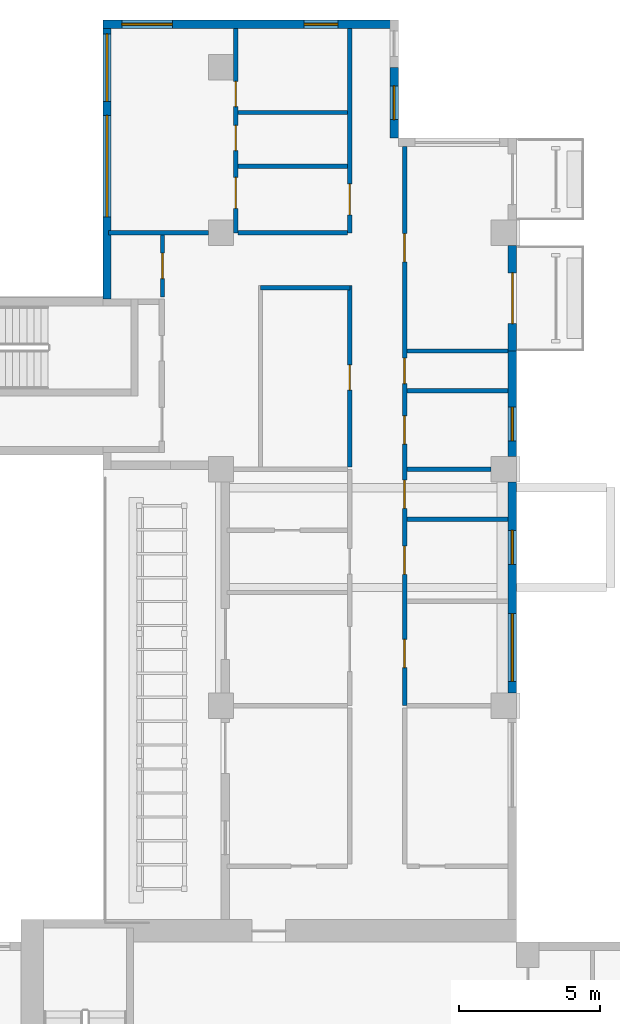
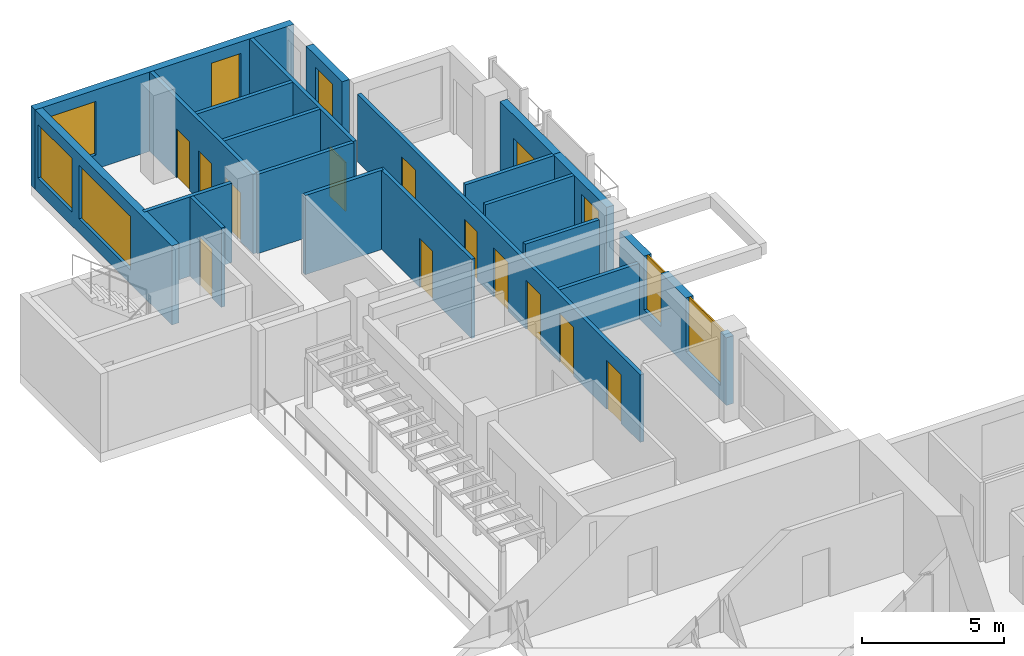
# One storey, part 9 of 14: 20 walls, 13 doors, 8 windows, 21 openings.
"""IFC4 building model written with IfcOpenShell, lengths in metres."""

from ifc_helpers import new_model, si_unit, direction, frame, frame_2d, origin, place, context, subcontext, project, spatial, rectangle, extrude, source, transform, mapped, material, layer, layer_set, type_object, element, fill, save


model = new_model("IFC4")

# Units and contexts
model_context = context("Model", 3, precision=1e-05, world=origin(), true_north=direction((0.0, 1.0)))
body_context = subcontext(model_context, "Body", "Model", "MODEL_VIEW")
ifc_project = project(units=[si_unit("LENGTHUNIT", "METRE"), si_unit("AREAUNIT", "SQUARE_METRE"), si_unit("VOLUMEUNIT", "CUBIC_METRE"), si_unit("PLANEANGLEUNIT", "RADIAN"), si_unit("MASSUNIT", "GRAM", prefix="KILO")], contexts=[model_context])

# Site, building, storey
site_placement = place(None, origin())
site = spatial("IfcSite", under=ifc_project, at=site_placement, CompositionType="ELEMENT")
building_placement = place(site_placement, origin())
building = spatial("IfcBuilding", under=site, at=building_placement, Name="Aurelian Terraces", CompositionType="ELEMENT")
storey_placement = place(building_placement, frame((0.0, 0.0, 185.4)))
storey = spatial("IfcBuildingStorey", under=building, at=storey_placement, Name="L40", CompositionType="ELEMENT", Elevation=185.4)

# Wall, openings, doors
ifc_material_1 = material(Name="Gypsum board on steel studs", Category="steel")
ifc_layer_1 = layer(ifc_material_1, 0.15)
ifc_layer_set_1 = layer_set([ifc_layer_1], Name="Fire partition 150")
wall_type_1 = type_object("IfcWallType", Name="Fire partition 150", PredefinedType="PARTITIONING", material=ifc_layer_set_1)
wall_1_placement = place(storey_placement, frame((17.025, 49.26, 0.0), z_axis=(0.0, 0.0, 1.0), x_axis=(0.0, -1.0, 0.0)))
wall_1 = element("IfcWall", 1, at=wall_1_placement, inside=storey, type_object=wall_type_1, Name="Corridor wall", PredefinedType="PARTITIONING", context=body_context, shape_type="SweptSolid", body=[
    extrude(rectangle(XDim=19.86, YDim=0.15, at=frame_2d((9.93, 0.0))), origin(), (0.0, 0.0, 1.0), 2.9),
])
shared_shape_1 = source(origin(), body_context, "Body", "SweptSolid", [
    extrude(rectangle(XDim=1.0, YDim=2.1, at=frame_2d((0.5, 1.05))), frame((0.0, 0.085, 0.0), z_axis=(0.0, -1.0, 0.0), x_axis=(1.0, 0.0, 0.0)), (0.0, 0.0, 1.0), 0.17),
])
opening_1_placement = place(wall_1_placement, frame((17.5033, 0.0, 0.0)))
opening_1 = element("IfcOpeningElement", 2, at=opening_1_placement, cuts=wall_1, Name="Opening 740030", PredefinedType="OPENING", context=body_context, shape_type="MappedRepresentation", body=[
    mapped(shared_shape_1, transform((0.0, 0.0, 0.0), scale=1.0)),
])
opening_2_placement = place(wall_1_placement, frame((14.1914, 0.0, 0.0)))
opening_2 = element("IfcOpeningElement", 3, at=opening_2_placement, cuts=wall_1, Name="Opening 740031", PredefinedType="OPENING", context=body_context, shape_type="MappedRepresentation", body=[
    mapped(shared_shape_1, transform((0.0, 0.0, 0.0), scale=1.0)),
])
opening_3_placement = place(wall_1_placement, frame((11.848, 0.0, 0.0)))
opening_3 = element("IfcOpeningElement", 4, at=opening_3_placement, cuts=wall_1, Name="Opening 740032", PredefinedType="OPENING", context=body_context, shape_type="MappedRepresentation", body=[
    mapped(shared_shape_1, transform((0.0, 0.0, 0.0), scale=1.0)),
])
opening_4_placement = place(wall_1_placement, frame((9.5658, 0.0, 0.0)))
opening_4 = element("IfcOpeningElement", 5, at=opening_4_placement, cuts=wall_1, Name="Opening 740033", PredefinedType="OPENING", context=body_context, shape_type="MappedRepresentation", body=[
    mapped(shared_shape_1, transform((0.0, 0.0, 0.0), scale=1.0)),
])
shared_shape_2 = source(origin(), body_context, "Body", "SweptSolid", [
    extrude(rectangle(XDim=0.9, YDim=2.1, at=frame_2d((0.45, 1.05))), frame((0.0, 0.085, 0.0), z_axis=(0.0, -1.0, 0.0), x_axis=(1.0, 0.0, 0.0)), (0.0, 0.0, 1.0), 0.17),
])
opening_5_placement = place(wall_1_placement, frame((7.5158, 0.0, 0.0)))
opening_5 = element("IfcOpeningElement", 6, at=opening_5_placement, cuts=wall_1, Name="Opening 740034", PredefinedType="OPENING", context=body_context, shape_type="MappedRepresentation", body=[
    mapped(shared_shape_2, transform((0.0, 0.0, 0.0), scale=1.0)),
])
opening_6_placement = place(wall_1_placement, frame((3.0925, 0.0, 0.0)))
opening_6 = element("IfcOpeningElement", 7, at=opening_6_placement, cuts=wall_1, Name="Opening 740035", PredefinedType="OPENING", context=body_context, shape_type="MappedRepresentation", body=[
    mapped(shared_shape_1, transform((0.0, 0.0, 0.0), scale=1.0)),
])
ifc_material_2 = material(Name="Steel door leaf", Category="steel")
door_type_1 = type_object("IfcDoorType", Name="Entrance fire door 1000x2100 right", OperationType="SINGLE_SWING_RIGHT", PredefinedType="DOOR", material=ifc_material_2)
shared_shape_3 = source(origin(), body_context, "Body", "SweptSolid", [
    extrude(rectangle(XDim=1.0, YDim=2.1, at=frame_2d((0.5, 1.05))), frame((0.0, 0.025, 0.0), z_axis=(0.0, -1.0, 0.0), x_axis=(1.0, 0.0, 0.0)), (0.0, 0.0, 1.0), 0.05),
])
door_1_placement = place(opening_1_placement, origin())
door_1 = element("IfcDoor", 8, at=door_1_placement, inside=storey, type_object=door_type_1, Name="Door 740030", OperationType="SINGLE_SWING_RIGHT", OverallHeight=2.1, OverallWidth=1.0, PredefinedType="DOOR", context=body_context, shape_type="MappedRepresentation", body=[
    mapped(shared_shape_3, transform((0.0, 0.0, 0.0), scale=1.0)),
])
fill(opening_1, door_1)
door_type_2 = type_object("IfcDoorType", Name="Entrance fire door 1000x2100 left", OperationType="SINGLE_SWING_LEFT", PredefinedType="DOOR", material=ifc_material_2)
door_2_placement = place(opening_2_placement, origin())
door_2 = element("IfcDoor", 9, at=door_2_placement, inside=storey, type_object=door_type_2, Name="Door 740031", OperationType="SINGLE_SWING_LEFT", OverallHeight=2.1, OverallWidth=1.0, PredefinedType="DOOR", context=body_context, shape_type="MappedRepresentation", body=[
    mapped(shared_shape_3, transform((0.0, 0.0, 0.0), scale=1.0)),
])
fill(opening_2, door_2)
door_3_placement = place(opening_3_placement, origin())
door_3 = element("IfcDoor", 10, at=door_3_placement, inside=storey, type_object=door_type_1, Name="Door 740032", OperationType="SINGLE_SWING_RIGHT", OverallHeight=2.1, OverallWidth=1.0, PredefinedType="DOOR", context=body_context, shape_type="MappedRepresentation", body=[
    mapped(shared_shape_3, transform((0.0, 0.0, 0.0), scale=1.0)),
])
fill(opening_3, door_3)
door_4_placement = place(opening_4_placement, origin())
door_4 = element("IfcDoor", 11, at=door_4_placement, inside=storey, type_object=door_type_1, Name="Door 740033", OperationType="SINGLE_SWING_RIGHT", OverallHeight=2.1, OverallWidth=1.0, PredefinedType="DOOR", context=body_context, shape_type="MappedRepresentation", body=[
    mapped(shared_shape_3, transform((0.0, 0.0, 0.0), scale=1.0)),
])
fill(opening_4, door_4)
door_5_placement = place(opening_6_placement, origin())
door_5 = element("IfcDoor", 12, at=door_5_placement, inside=storey, type_object=door_type_1, Name="Door 740035", OperationType="SINGLE_SWING_RIGHT", OverallHeight=2.1, OverallWidth=1.0, PredefinedType="DOOR", context=body_context, shape_type="MappedRepresentation", body=[
    mapped(shared_shape_3, transform((0.0, 0.0, 0.0), scale=1.0)),
])
fill(opening_6, door_5)
door_type_3 = type_object("IfcDoorType", Name="Entrance fire door 900x2100 left", OperationType="SINGLE_SWING_LEFT", PredefinedType="DOOR", material=ifc_material_2)
shared_shape_4 = source(origin(), body_context, "Body", "SweptSolid", [
    extrude(rectangle(XDim=0.9, YDim=2.1, at=frame_2d((0.45, 1.05))), frame((0.0, 0.025, 0.0), z_axis=(0.0, -1.0, 0.0), x_axis=(1.0, 0.0, 0.0)), (0.0, 0.0, 1.0), 0.05),
])
door_6_placement = place(opening_5_placement, origin())
door_6 = element("IfcDoor", 13, at=door_6_placement, inside=storey, type_object=door_type_3, Name="Door 740034", OperationType="SINGLE_SWING_LEFT", OverallHeight=2.1, OverallWidth=0.9, PredefinedType="DOOR", context=body_context, shape_type="MappedRepresentation", body=[
    mapped(shared_shape_4, transform((0.0, 0.0, 0.0), scale=1.0)),
])
fill(opening_5, door_6)

# Wall
ifc_layer_2 = layer(ifc_material_1, 0.15)
ifc_layer_set_2 = layer_set([ifc_layer_2], Name="Partition 150")
wall_type_2 = type_object("IfcWallType", Name="Partition 150", PredefinedType="PARTITIONING", material=ifc_layer_set_2)
wall_2_placement = place(storey_placement, frame((15.075, 44.25, 0.0), z_axis=(0.0, 0.0, 1.0), x_axis=(-1.0, 0.0, 0.0)))
element("IfcWall", 14, at=wall_2_placement, inside=storey, type_object=wall_type_2, Name="Partition", PredefinedType="PARTITIONING", context=body_context, shape_type="SweptSolid", body=[
    extrude(rectangle(XDim=3.175, YDim=0.15, at=frame_2d((1.5875, 0.0))), origin(), (0.0, 0.0, 1.0), 3.4),
])

# Wall, opening, window
ifc_material_3 = material(Name="Terracotta rainscreen cladding", Category="masonry")
ifc_layer_3 = layer(ifc_material_3, 0.3)
ifc_layer_set_3 = layer_set([ifc_layer_3], Name="EW-300")
wall_type_3 = type_object("IfcWallType", Name="EW-300", PredefinedType="STANDARD", material=ifc_layer_set_3)
shared_shape_5 = source(origin(), body_context, "Body", "SweptSolid", [
    extrude(rectangle(XDim=3.75, YDim=0.3, at=frame_2d((1.875, 0.0))), origin(), (0.0, 0.0, 1.0), 3.4),
])
wall_3_placement = place(storey_placement, frame((20.85, 38.25, 0.0), z_axis=(0.0, 0.0, 1.0), x_axis=(0.0, 1.0, 0.0)))
wall_3 = element("IfcWall", 15, at=wall_3_placement, inside=storey, type_object=wall_type_3, Name="External wall L40 F08.21", PredefinedType="STANDARD", context=body_context, shape_type="MappedRepresentation", body=[
    mapped(shared_shape_5, transform((0.0, 0.0, 0.0), scale=1.0)),
])
shared_shape_6 = source(origin(), body_context, "Body", "SweptSolid", [
    extrude(rectangle(XDim=1.2, YDim=2.3, at=frame_2d((0.6, 1.15))), frame((0.0, 0.16, 0.0), z_axis=(0.0, -1.0, 0.0), x_axis=(1.0, 0.0, 0.0)), (0.0, 0.0, 1.0), 0.32),
])
opening_7_placement = place(wall_3_placement, frame((0.557, 0.0, 0.6)))
opening_7 = element("IfcOpeningElement", 16, at=opening_7_placement, cuts=wall_3, Name="Opening W1223", PredefinedType="OPENING", context=body_context, shape_type="MappedRepresentation", body=[
    mapped(shared_shape_6, transform((0.0, 0.0, 0.0), scale=1.0)),
])
ifc_material_4 = material(Name="Clear glazing", Category="glass")
window_type_1 = type_object("IfcWindowType", Name="W-1200x2300", PartitioningType="SINGLE_PANEL", PredefinedType="WINDOW", material=ifc_material_4)
shared_shape_7 = source(origin(), body_context, "Body", "SweptSolid", [
    extrude(rectangle(XDim=1.2, YDim=2.3, at=frame_2d((0.6, 1.15))), frame((0.0, 0.03, 0.0), z_axis=(0.0, -1.0, 0.0), x_axis=(1.0, 0.0, 0.0)), (0.0, 0.0, 1.0), 0.06),
])
window_1_placement = place(opening_7_placement, origin())
window_1 = element("IfcWindow", 17, at=window_1_placement, inside=storey, type_object=window_type_1, Name="Window L40 L40-F08-21-0", OverallHeight=2.3, OverallWidth=1.2, PartitioningType="SINGLE_PANEL", PredefinedType="WINDOW", context=body_context, shape_type="MappedRepresentation", body=[
    mapped(shared_shape_7, transform((0.0, 0.0, 0.0), scale=1.0)),
])
fill(opening_7, window_1)

# Wall, opening, door
wall_4_placement = place(storey_placement, frame((20.85, 42.0, 0.0), z_axis=(0.0, 0.0, 1.0), x_axis=(0.0, 1.0, 0.0)))
wall_4 = element("IfcWall", 18, at=wall_4_placement, inside=storey, type_object=wall_type_3, Name="External wall L40 F08.22", PredefinedType="STANDARD", context=body_context, shape_type="MappedRepresentation", body=[
    mapped(shared_shape_5, transform((0.0, 0.0, 0.0), scale=1.0)),
])
shared_shape_8 = source(origin(), body_context, "Body", "SweptSolid", [
    extrude(rectangle(XDim=1.8, YDim=2.4, at=frame_2d((0.9, 1.2))), frame((0.0, 0.16, 0.0), z_axis=(0.0, -1.0, 0.0), x_axis=(1.0, 0.0, 0.0)), (0.0, 0.0, 1.0), 0.32),
])
opening_8_placement = place(wall_4_placement, frame((0.975, 0.0, 0.0)))
opening_8 = element("IfcOpeningElement", 19, at=opening_8_placement, cuts=wall_4, Name="Opening 84002", PredefinedType="OPENING", context=body_context, shape_type="MappedRepresentation", body=[
    mapped(shared_shape_8, transform((0.0, 0.0, 0.0), scale=1.0)),
])
door_type_4 = type_object("IfcDoorType", Name="BD-1800x2400", OperationType="SLIDING_TO_LEFT", PredefinedType="DOOR", material=ifc_material_4)
shared_shape_9 = source(origin(), body_context, "Body", "SweptSolid", [
    extrude(rectangle(XDim=1.8, YDim=2.4, at=frame_2d((0.9, 1.2))), frame((0.0, 0.025, 0.0), z_axis=(0.0, -1.0, 0.0), x_axis=(1.0, 0.0, 0.0)), (0.0, 0.0, 1.0), 0.05),
])
door_7_placement = place(opening_8_placement, origin())
door_7 = element("IfcDoor", 20, at=door_7_placement, inside=storey, type_object=door_type_4, Name="Balcony door L40 F08.22", OperationType="SLIDING_TO_LEFT", OverallHeight=2.4, OverallWidth=1.8, PredefinedType="DOOR", context=body_context, shape_type="MappedRepresentation", body=[
    mapped(shared_shape_9, transform((0.0, 0.0, 0.0), scale=1.0)),
])
fill(opening_8, door_7)

# Wall, opening, window
shared_shape_10 = source(origin(), body_context, "Body", "SweptSolid", [
    extrude(rectangle(XDim=2.52, YDim=0.3, at=frame_2d((1.26, 0.0))), origin(), (0.0, 0.0, 1.0), 3.4),
])
wall_5_placement = place(storey_placement, frame((16.65, 49.56, 0.0), z_axis=(0.0, 0.0, 1.0), x_axis=(0.0, 1.0, 0.0)))
wall_5 = element("IfcWall", 21, at=wall_5_placement, inside=storey, type_object=wall_type_3, Name="External wall L40 F10.25", PredefinedType="STANDARD", context=body_context, shape_type="MappedRepresentation", body=[
    mapped(shared_shape_10, transform((0.0, 0.0, 0.0), scale=1.0)),
])
opening_9_placement = place(wall_5_placement, frame((0.66, 0.0, 0.6)))
opening_9 = element("IfcOpeningElement", 22, at=opening_9_placement, cuts=wall_5, Name="Opening W1223", PredefinedType="OPENING", context=body_context, shape_type="MappedRepresentation", body=[
    mapped(shared_shape_6, transform((0.0, 0.0, 0.0), scale=1.0)),
])
window_2_placement = place(opening_9_placement, origin())
window_2 = element("IfcWindow", 23, at=window_2_placement, inside=storey, type_object=window_type_1, Name="Window L40 L40-F10-25-0", OverallHeight=2.3, OverallWidth=1.2, PartitioningType="SINGLE_PANEL", PredefinedType="WINDOW", context=body_context, shape_type="MappedRepresentation", body=[
    mapped(shared_shape_7, transform((0.0, 0.0, 0.0), scale=1.0)),
])
fill(opening_9, window_2)

# Wall, openings, windows
shared_shape_11 = source(origin(), body_context, "Body", "SweptSolid", [
    extrude(rectangle(XDim=10.5, YDim=0.3, at=frame_2d((5.25, 0.0))), origin(), (0.0, 0.0, 1.0), 3.4),
])
wall_6_placement = place(storey_placement, frame((16.8, 53.61, 0.0), z_axis=(0.0, 0.0, 1.0), x_axis=(-1.0, 0.0, 0.0)))
wall_6 = element("IfcWall", 24, at=wall_6_placement, inside=storey, type_object=wall_type_3, Name="External wall L40 F11.27", PredefinedType="STANDARD", context=body_context, shape_type="MappedRepresentation", body=[
    mapped(shared_shape_11, transform((0.0, 0.0, 0.0), scale=1.0)),
])
opening_10_placement = place(wall_6_placement, frame((2.15, 0.0, 0.6)))
opening_10 = element("IfcOpeningElement", 25, at=opening_10_placement, cuts=wall_6, Name="Opening W1223", PredefinedType="OPENING", context=body_context, shape_type="MappedRepresentation", body=[
    mapped(shared_shape_6, transform((0.0, 0.0, 0.0), scale=1.0)),
])
shared_shape_12 = source(origin(), body_context, "Body", "SweptSolid", [
    extrude(rectangle(XDim=1.8, YDim=2.3, at=frame_2d((0.9, 1.15))), frame((0.0, 0.16, 0.0), z_axis=(0.0, -1.0, 0.0), x_axis=(1.0, 0.0, 0.0)), (0.0, 0.0, 1.0), 0.32),
])
opening_11_placement = place(wall_6_placement, frame((8.025, 0.0, 0.6)))
opening_11 = element("IfcOpeningElement", 26, at=opening_11_placement, cuts=wall_6, Name="Opening W1823", PredefinedType="OPENING", context=body_context, shape_type="MappedRepresentation", body=[
    mapped(shared_shape_12, transform((0.0, 0.0, 0.0), scale=1.0)),
])
window_3_placement = place(opening_10_placement, origin())
window_3 = element("IfcWindow", 27, at=window_3_placement, inside=storey, type_object=window_type_1, Name="Window L40 L40-F11-27-0", OverallHeight=2.3, OverallWidth=1.2, PartitioningType="SINGLE_PANEL", PredefinedType="WINDOW", context=body_context, shape_type="MappedRepresentation", body=[
    mapped(shared_shape_7, transform((0.0, 0.0, 0.0), scale=1.0)),
])
fill(opening_10, window_3)
window_type_2 = type_object("IfcWindowType", Name="W-1800x2300", PartitioningType="SINGLE_PANEL", PredefinedType="WINDOW", material=ifc_material_4)
shared_shape_13 = source(origin(), body_context, "Body", "SweptSolid", [
    extrude(rectangle(XDim=1.8, YDim=2.3, at=frame_2d((0.9, 1.15))), frame((0.0, 0.03, 0.0), z_axis=(0.0, -1.0, 0.0), x_axis=(1.0, 0.0, 0.0)), (0.0, 0.0, 1.0), 0.06),
])
window_4_placement = place(opening_11_placement, origin())
window_4 = element("IfcWindow", 28, at=window_4_placement, inside=storey, type_object=window_type_2, Name="Window L40 L40-F11-27-2", OverallHeight=2.3, OverallWidth=1.8, PartitioningType="SINGLE_PANEL", PredefinedType="WINDOW", context=body_context, shape_type="MappedRepresentation", body=[
    mapped(shared_shape_13, transform((0.0, 0.0, 0.0), scale=1.0)),
])
fill(opening_11, window_4)

shared_shape_14 = source(origin(), body_context, "Body", "SweptSolid", [
    extrude(rectangle(XDim=9.91, YDim=0.3, at=frame_2d((4.955, 0.0))), origin(), (0.0, 0.0, 1.0), 3.4),
])
wall_7_placement = place(storey_placement, frame((6.45, 53.76, 0.0), z_axis=(0.0, 0.0, 1.0), x_axis=(0.0, -1.0, 0.0)))
wall_7 = element("IfcWall", 29, at=wall_7_placement, inside=storey, type_object=wall_type_3, Name="External wall L40 F12.28", PredefinedType="STANDARD", context=body_context, shape_type="MappedRepresentation", body=[
    mapped(shared_shape_14, transform((0.0, 0.0, 0.0), scale=1.0)),
])
shared_shape_15 = source(origin(), body_context, "Body", "SweptSolid", [
    extrude(rectangle(XDim=3.6, YDim=2.3, at=frame_2d((1.8, 1.15))), frame((0.0, 0.16, 0.0), z_axis=(0.0, -1.0, 0.0), x_axis=(1.0, 0.0, 0.0)), (0.0, 0.0, 1.0), 0.32),
])
opening_12_placement = place(wall_7_placement, frame((3.39, 0.0, 0.6)))
opening_12 = element("IfcOpeningElement", 30, at=opening_12_placement, cuts=wall_7, Name="Opening W3623", PredefinedType="OPENING", context=body_context, shape_type="MappedRepresentation", body=[
    mapped(shared_shape_15, transform((0.0, 0.0, 0.0), scale=1.0)),
])
shared_shape_16 = source(origin(), body_context, "Body", "SweptSolid", [
    extrude(rectangle(XDim=2.4, YDim=2.3, at=frame_2d((1.2, 1.15))), frame((0.0, 0.16, 0.0), z_axis=(0.0, -1.0, 0.0), x_axis=(1.0, 0.0, 0.0)), (0.0, 0.0, 1.0), 0.32),
])
opening_13_placement = place(wall_7_placement, frame((0.495, 0.0, 0.6)))
opening_13 = element("IfcOpeningElement", 31, at=opening_13_placement, cuts=wall_7, Name="Opening W2423", PredefinedType="OPENING", context=body_context, shape_type="MappedRepresentation", body=[
    mapped(shared_shape_16, transform((0.0, 0.0, 0.0), scale=1.0)),
])
window_type_3 = type_object("IfcWindowType", Name="W-3600x2300", PartitioningType="SINGLE_PANEL", PredefinedType="WINDOW", material=ifc_material_4)
shared_shape_17 = source(origin(), body_context, "Body", "SweptSolid", [
    extrude(rectangle(XDim=3.6, YDim=2.3, at=frame_2d((1.8, 1.15))), frame((0.0, 0.03, 0.0), z_axis=(0.0, -1.0, 0.0), x_axis=(1.0, 0.0, 0.0)), (0.0, 0.0, 1.0), 0.06),
])
window_5_placement = place(opening_12_placement, origin())
window_5 = element("IfcWindow", 32, at=window_5_placement, inside=storey, type_object=window_type_3, Name="Window L40 L40-F12-28-1", OverallHeight=2.3, OverallWidth=3.6, PartitioningType="SINGLE_PANEL", PredefinedType="WINDOW", context=body_context, shape_type="MappedRepresentation", body=[
    mapped(shared_shape_17, transform((0.0, 0.0, 0.0), scale=1.0)),
])
fill(opening_12, window_5)
window_type_4 = type_object("IfcWindowType", Name="W-2400x2300", PartitioningType="SINGLE_PANEL", PredefinedType="WINDOW", material=ifc_material_4)
shared_shape_18 = source(origin(), body_context, "Body", "SweptSolid", [
    extrude(rectangle(XDim=2.4, YDim=2.3, at=frame_2d((1.2, 1.15))), frame((0.0, 0.03, 0.0), z_axis=(0.0, -1.0, 0.0), x_axis=(1.0, 0.0, 0.0)), (0.0, 0.0, 1.0), 0.06),
])
window_6_placement = place(opening_13_placement, origin())
window_6 = element("IfcWindow", 33, at=window_6_placement, inside=storey, type_object=window_type_4, Name="Window L40 L40-F12-28-G0-0", OverallHeight=2.3, OverallWidth=2.4, PartitioningType="SINGLE_PANEL", PredefinedType="WINDOW", context=body_context, shape_type="MappedRepresentation", body=[
    mapped(shared_shape_18, transform((0.0, 0.0, 0.0), scale=1.0)),
])
fill(opening_13, window_6)

shared_shape_19 = source(origin(), body_context, "Body", "SweptSolid", [
    extrude(rectangle(XDim=7.5, YDim=0.3, at=frame_2d((3.75, 0.0))), origin(), (0.0, 0.0, 1.0), 2.9),
])
wall_8_placement = place(storey_placement, frame((20.85, 29.85, 0.0), z_axis=(0.0, 0.0, 1.0), x_axis=(0.0, 1.0, 0.0)))
wall_8 = element("IfcWall", 34, at=wall_8_placement, inside=storey, type_object=wall_type_3, Name="External wall L40 F08.20", PredefinedType="STANDARD", context=body_context, shape_type="MappedRepresentation", body=[
    mapped(shared_shape_19, transform((0.0, 0.0, 0.0), scale=1.0)),
])
opening_14_placement = place(wall_8_placement, frame((0.419, 0.0, 0.6)))
opening_14 = element("IfcOpeningElement", 35, at=opening_14_placement, cuts=wall_8, Name="Opening W2423", PredefinedType="OPENING", context=body_context, shape_type="MappedRepresentation", body=[
    mapped(shared_shape_16, transform((0.0, 0.0, 0.0), scale=1.0)),
])
opening_15_placement = place(wall_8_placement, frame((4.5745, 0.0, 0.6)))
opening_15 = element("IfcOpeningElement", 36, at=opening_15_placement, cuts=wall_8, Name="Opening W1223", PredefinedType="OPENING", context=body_context, shape_type="MappedRepresentation", body=[
    mapped(shared_shape_6, transform((0.0, 0.0, 0.0), scale=1.0)),
])
window_7_placement = place(opening_15_placement, origin())
window_7 = element("IfcWindow", 37, at=window_7_placement, inside=storey, type_object=window_type_1, Name="Window L40 L40-F08-20-1", OverallHeight=2.3, OverallWidth=1.2, PartitioningType="SINGLE_PANEL", PredefinedType="WINDOW", context=body_context, shape_type="MappedRepresentation", body=[
    mapped(shared_shape_7, transform((0.0, 0.0, 0.0), scale=1.0)),
])
fill(opening_15, window_7)
window_8_placement = place(opening_14_placement, origin())
window_8 = element("IfcWindow", 38, at=window_8_placement, inside=storey, type_object=window_type_4, Name="Window L40 L40-F08-20-0", OverallHeight=2.3, OverallWidth=2.4, PartitioningType="SINGLE_PANEL", PredefinedType="WINDOW", context=body_context, shape_type="MappedRepresentation", body=[
    mapped(shared_shape_18, transform((0.0, 0.0, 0.0), scale=1.0)),
])
fill(opening_14, window_8)

# Wall, opening, door
shared_shape_20 = source(origin(), body_context, "Body", "SweptSolid", [
    extrude(rectangle(XDim=6.45, YDim=0.15, at=frame_2d((3.225, 0.0))), origin(), (0.0, 0.0, 1.0), 3.4),
])
wall_9_placement = place(storey_placement, frame((15.075, 37.875, 0.0), z_axis=(0.0, 0.0, 1.0), x_axis=(0.0, 1.0, 0.0)))
wall_9 = element("IfcWall", 39, at=wall_9_placement, inside=storey, type_object=wall_type_1, Name="Corridor wall", PredefinedType="PARTITIONING", context=body_context, shape_type="MappedRepresentation", body=[
    mapped(shared_shape_20, transform((0.0, 0.0, 0.0), scale=1.0)),
])
opening_16_placement = place(wall_9_placement, frame((2.7375, 0.0, 0.0)))
opening_16 = element("IfcOpeningElement", 40, at=opening_16_placement, cuts=wall_9, Name="Opening 740022", PredefinedType="OPENING", context=body_context, shape_type="MappedRepresentation", body=[
    mapped(shared_shape_2, transform((0.0, 0.0, 0.0), scale=1.0)),
])
ifc_material_5 = material(Name="Timber door leaf", Category="wood")
door_type_5 = type_object("IfcDoorType", Name="Room door 900x2100 left", OperationType="SINGLE_SWING_LEFT", PredefinedType="DOOR", material=ifc_material_5)
door_8_placement = place(opening_16_placement, origin())
door_8 = element("IfcDoor", 41, at=door_8_placement, inside=storey, type_object=door_type_5, Name="Door 740022", OperationType="SINGLE_SWING_LEFT", OverallHeight=2.1, OverallWidth=0.9, PredefinedType="DOOR", context=body_context, shape_type="MappedRepresentation", body=[
    mapped(shared_shape_4, transform((0.0, 0.0, 0.0), scale=1.0)),
])
fill(opening_16, door_8)

# Walls
shared_shape_21 = source(origin(), body_context, "Body", "SweptSolid", [
    extrude(rectangle(XDim=3.9, YDim=0.15, at=frame_2d((1.95, 0.0))), origin(), (0.0, 0.0, 1.0), 3.4),
])
for number, where, z_axis, x_axis, name in (
    (42, (15.0, 48.5681, 0.0), (0.0, 0.0, 1.0), (-1.0, 0.0, 0.0), "Partition"),
    (43, (15.0, 50.4718, 0.0), (0.0, 0.0, 1.0), (-1.0, 0.0, 0.0), "Partition"),
):
    element("IfcWall", number, at=place(storey_placement, frame(where, z_axis=z_axis, x_axis=x_axis)), inside=storey, type_object=wall_type_2, Name=name, PredefinedType="PARTITIONING", context=body_context, shape_type="MappedRepresentation", body=[
        mapped(shared_shape_21, transform((0.0, 0.0, 0.0), scale=1.0)),
    ])
wall_10_placement = place(storey_placement, frame((15.0, 46.2, 0.0), z_axis=(0.0, 0.0, 1.0), x_axis=(-1.0, 0.0, 0.0)))
element("IfcWall", 44, at=wall_10_placement, inside=storey, type_object=wall_type_1, Name="Party wall", PredefinedType="PARTITIONING", context=body_context, shape_type="MappedRepresentation", body=[
    mapped(shared_shape_21, transform((0.0, 0.0, 0.0), scale=1.0)),
])
shared_shape_22 = source(origin(), body_context, "Body", "SweptSolid", [
    extrude(rectangle(XDim=3.6, YDim=0.15, at=frame_2d((1.8, 0.0))), origin(), (0.0, 0.0, 1.0), 3.4),
])
wall_11_placement = place(storey_placement, frame((17.1, 40.5885, 0.0), z_axis=(0.0, 0.0, 1.0), x_axis=(1.0, 0.0, 0.0)))
element("IfcWall", 45, at=wall_11_placement, inside=storey, type_object=wall_type_2, Name="Partition", PredefinedType="PARTITIONING", context=body_context, shape_type="MappedRepresentation", body=[
    mapped(shared_shape_22, transform((0.0, 0.0, 0.0), scale=1.0)),
])
wall_12_placement = place(storey_placement, frame((20.7, 42.0, 0.0), z_axis=(0.0, 0.0, 1.0), x_axis=(-1.0, 0.0, 0.0)))
element("IfcWall", 46, at=wall_12_placement, inside=storey, type_object=wall_type_1, Name="Party wall", PredefinedType="PARTITIONING", context=body_context, shape_type="MappedRepresentation", body=[
    mapped(shared_shape_22, transform((0.0, 0.0, 0.0), scale=1.0)),
])
shared_shape_23 = source(origin(), body_context, "Body", "SweptSolid", [
    extrude(rectangle(XDim=3.001, YDim=0.15, at=frame_2d((1.5005, 0.0))), origin(), (0.0, 0.0, 1.0), 3.4),
])
wall_13_placement = place(storey_placement, frame((20.101, 37.8, 0.0), z_axis=(0.0, 0.0, 1.0), x_axis=(-1.0, 0.0, 0.0)))
element("IfcWall", 47, at=wall_13_placement, inside=storey, type_object=wall_type_1, Name="Party wall", PredefinedType="PARTITIONING", context=body_context, shape_type="MappedRepresentation", body=[
    mapped(shared_shape_23, transform((0.0, 0.0, 0.0), scale=1.0)),
])

# Wall, opening, door
shared_shape_24 = source(origin(), body_context, "Body", "SweptSolid", [
    extrude(rectangle(XDim=2.2, YDim=0.15, at=frame_2d((1.1, 0.0))), origin(), (0.0, 0.0, 1.0), 3.4),
])
wall_14_placement = place(storey_placement, frame((8.425, 43.925, 0.0), z_axis=(0.0, 0.0, 1.0), x_axis=(0.0, 1.0, 0.0)))
wall_14 = element("IfcWall", 48, at=wall_14_placement, inside=storey, type_object=wall_type_2, Name="Partition", PredefinedType="PARTITIONING", context=body_context, shape_type="MappedRepresentation", body=[
    mapped(shared_shape_24, transform((0.0, 0.0, 0.0), scale=1.0)),
])
opening_17_placement = place(wall_14_placement, frame((0.65, 0.0, 0.0)))
opening_17 = element("IfcOpeningElement", 49, at=opening_17_placement, cuts=wall_14, Name="Opening 740023", PredefinedType="OPENING", context=body_context, shape_type="MappedRepresentation", body=[
    mapped(shared_shape_2, transform((0.0, 0.0, 0.0), scale=1.0)),
])
door_9_placement = place(opening_17_placement, origin())
door_9 = element("IfcDoor", 50, at=door_9_placement, inside=storey, type_object=door_type_5, Name="Door 740023", OperationType="SINGLE_SWING_LEFT", OverallHeight=2.1, OverallWidth=0.9, PredefinedType="DOOR", context=body_context, shape_type="MappedRepresentation", body=[
    mapped(shared_shape_4, transform((0.0, 0.0, 0.0), scale=1.0)),
])
fill(opening_17, door_9)

# Wall
shared_shape_25 = source(origin(), body_context, "Body", "SweptSolid", [
    extrude(rectangle(XDim=3.546, YDim=0.15, at=frame_2d((1.773, 0.0))), origin(), (0.0, 0.0, 1.0), 3.4),
])
wall_15_placement = place(storey_placement, frame((10.051, 46.2, 0.0), z_axis=(0.0, 0.0, 1.0), x_axis=(-1.0, 0.0, 0.0)))
element("IfcWall", 51, at=wall_15_placement, inside=storey, type_object=wall_type_1, Name="Party wall", PredefinedType="PARTITIONING", context=body_context, shape_type="MappedRepresentation", body=[
    mapped(shared_shape_25, transform((0.0, 0.0, 0.0), scale=1.0)),
])

# Wall, openings, doors
shared_shape_26 = source(origin(), body_context, "Body", "SweptSolid", [
    extrude(rectangle(XDim=7.26, YDim=0.15, at=frame_2d((3.63, 0.0))), origin(), (0.0, 0.0, 1.0), 3.4),
])
wall_16_placement = place(storey_placement, frame((11.025, 46.2, 0.0), z_axis=(0.0, 0.0, 1.0), x_axis=(0.0, 1.0, 0.0)))
wall_16 = element("IfcWall", 52, at=wall_16_placement, inside=storey, type_object=wall_type_2, Name="Partition", PredefinedType="PARTITIONING", context=body_context, shape_type="MappedRepresentation", body=[
    mapped(shared_shape_26, transform((0.0, 0.0, 0.0), scale=1.0)),
])
shared_shape_27 = source(origin(), body_context, "Body", "SweptSolid", [
    extrude(rectangle(XDim=1.1, YDim=2.1, at=frame_2d((0.55, 1.05))), frame((0.0, 0.085, 0.0), z_axis=(0.0, -1.0, 0.0), x_axis=(1.0, 0.0, 0.0)), (0.0, 0.0, 1.0), 0.17),
])
opening_18_placement = place(wall_16_placement, frame((0.8715, 0.0, 0.0)))
opening_18 = element("IfcOpeningElement", 53, at=opening_18_placement, cuts=wall_16, Name="Opening 740027", PredefinedType="OPENING", context=body_context, shape_type="MappedRepresentation", body=[
    mapped(shared_shape_27, transform((0.0, 0.0, 0.0), scale=1.0)),
])
opening_19_placement = place(wall_16_placement, frame((2.9199, 0.0, 0.0)))
opening_19 = element("IfcOpeningElement", 54, at=opening_19_placement, cuts=wall_16, Name="Opening 740028", PredefinedType="OPENING", context=body_context, shape_type="MappedRepresentation", body=[
    mapped(shared_shape_2, transform((0.0, 0.0, 0.0), scale=1.0)),
])
opening_20_placement = place(wall_16_placement, frame((4.4784, 0.0, 0.0)))
opening_20 = element("IfcOpeningElement", 55, at=opening_20_placement, cuts=wall_16, Name="Opening 740029", PredefinedType="OPENING", context=body_context, shape_type="MappedRepresentation", body=[
    mapped(shared_shape_2, transform((0.0, 0.0, 0.0), scale=1.0)),
])
door_type_6 = type_object("IfcDoorType", Name="Room door 900x2100 right", OperationType="SINGLE_SWING_RIGHT", PredefinedType="DOOR", material=ifc_material_5)
door_10_placement = place(opening_19_placement, origin())
door_10 = element("IfcDoor", 56, at=door_10_placement, inside=storey, type_object=door_type_6, Name="Door 740028", OperationType="SINGLE_SWING_RIGHT", OverallHeight=2.1, OverallWidth=0.9, PredefinedType="DOOR", context=body_context, shape_type="MappedRepresentation", body=[
    mapped(shared_shape_4, transform((0.0, 0.0, 0.0), scale=1.0)),
])
fill(opening_19, door_10)
door_11_placement = place(opening_20_placement, origin())
door_11 = element("IfcDoor", 57, at=door_11_placement, inside=storey, type_object=door_type_5, Name="Door 740029", OperationType="SINGLE_SWING_LEFT", OverallHeight=2.1, OverallWidth=0.9, PredefinedType="DOOR", context=body_context, shape_type="MappedRepresentation", body=[
    mapped(shared_shape_4, transform((0.0, 0.0, 0.0), scale=1.0)),
])
fill(opening_20, door_11)
door_type_7 = type_object("IfcDoorType", Name="Room door 1100x2100 left", OperationType="SINGLE_SWING_LEFT", PredefinedType="DOOR", material=ifc_material_5)
shared_shape_28 = source(origin(), body_context, "Body", "SweptSolid", [
    extrude(rectangle(XDim=1.1, YDim=2.1, at=frame_2d((0.55, 1.05))), frame((0.0, 0.025, 0.0), z_axis=(0.0, -1.0, 0.0), x_axis=(1.0, 0.0, 0.0)), (0.0, 0.0, 1.0), 0.05),
])
door_12_placement = place(opening_18_placement, origin())
door_12 = element("IfcDoor", 58, at=door_12_placement, inside=storey, type_object=door_type_7, Name="Door 740027", OperationType="SINGLE_SWING_LEFT", OverallHeight=2.1, OverallWidth=1.1, PredefinedType="DOOR", context=body_context, shape_type="MappedRepresentation", body=[
    mapped(shared_shape_28, transform((0.0, 0.0, 0.0), scale=1.0)),
])
fill(opening_18, door_12)

# Wall, opening, door
wall_17_placement = place(storey_placement, frame((15.075, 46.2, 0.0), z_axis=(0.0, 0.0, 1.0), x_axis=(0.0, 1.0, 0.0)))
wall_17 = element("IfcWall", 59, at=wall_17_placement, inside=storey, type_object=wall_type_1, Name="Corridor wall", PredefinedType="PARTITIONING", context=body_context, shape_type="MappedRepresentation", body=[
    mapped(shared_shape_26, transform((0.0, 0.0, 0.0), scale=1.0)),
])
opening_21_placement = place(wall_17_placement, frame((0.634, 0.0, 0.0)))
opening_21 = element("IfcOpeningElement", 60, at=opening_21_placement, cuts=wall_17, Name="Opening 740026", PredefinedType="OPENING", context=body_context, shape_type="MappedRepresentation", body=[
    mapped(shared_shape_27, transform((0.0, 0.0, 0.0), scale=1.0)),
])
door_type_8 = type_object("IfcDoorType", Name="Entrance fire door 1100x2100 right", OperationType="SINGLE_SWING_RIGHT", PredefinedType="DOOR", material=ifc_material_2)
door_13_placement = place(opening_21_placement, origin())
door_13 = element("IfcDoor", 61, at=door_13_placement, inside=storey, type_object=door_type_8, Name="Door 740026", OperationType="SINGLE_SWING_RIGHT", OverallHeight=2.1, OverallWidth=1.1, PredefinedType="DOOR", context=body_context, shape_type="MappedRepresentation", body=[
    mapped(shared_shape_28, transform((0.0, 0.0, 0.0), scale=1.0)),
])
fill(opening_21, door_13)

# Wall
shared_shape_29 = source(origin(), body_context, "Body", "SweptSolid", [
    extrude(rectangle(XDim=3.6, YDim=0.15, at=frame_2d((1.8, 0.0))), origin(), (0.0, 0.0, 1.0), 2.4),
])
wall_18_placement = place(storey_placement, frame((17.1, 36.024, 0.0), z_axis=(0.0, 0.0, 1.0), x_axis=(1.0, 0.0, 0.0)))
element("IfcWall", 62, at=wall_18_placement, inside=storey, type_object=wall_type_2, Name="Partition", PredefinedType="PARTITIONING", context=body_context, shape_type="MappedRepresentation", body=[
    mapped(shared_shape_29, transform((0.0, 0.0, 0.0), scale=1.0)),
])

save(model, "model.ifc")
